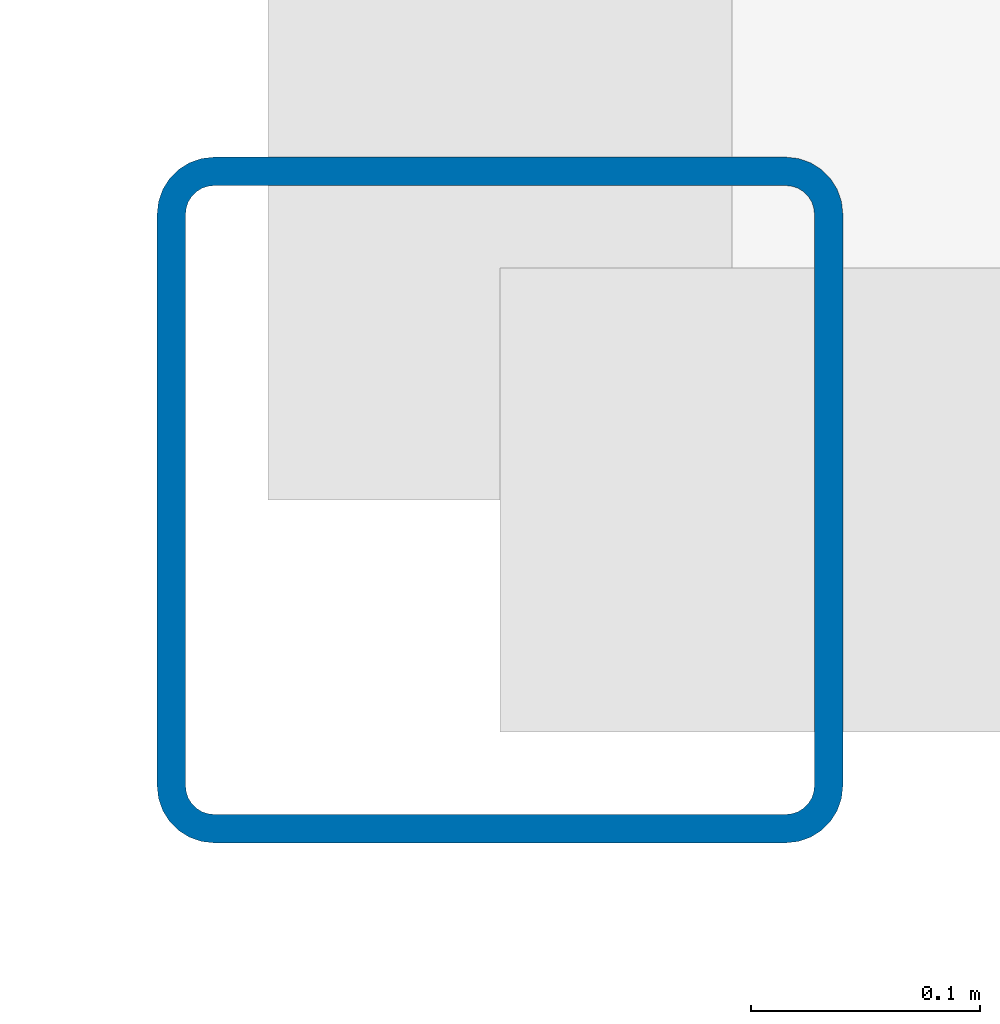
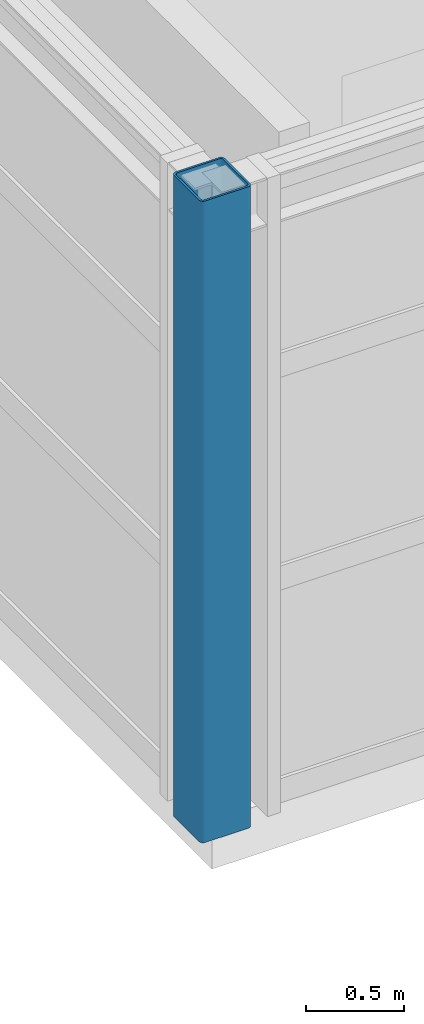
# One storey, part 2 of 49: 1 column.
"""IFC4 building model written with IfcOpenShell, lengths in metres."""

from ifc_helpers import new_model, si_unit, direction, frame, origin, origin_2d, place, context, subcontext, project, spatial, hollow_rectangle, extrude, material, material_profile, profile_set, type_object, element, save


model = new_model("IFC4")

# Units and contexts
model_context = context("Model", 3, precision=1e-05, world=origin(), true_north=direction((0.0, 1.0)))
body_context = subcontext(model_context, "Body", "Model", "MODEL_VIEW")
ifc_project = project(units=[si_unit("LENGTHUNIT", "METRE"), si_unit("AREAUNIT", "SQUARE_METRE"), si_unit("VOLUMEUNIT", "CUBIC_METRE"), si_unit("PLANEANGLEUNIT", "RADIAN"), si_unit("MASSUNIT", "GRAM", prefix="KILO")], contexts=[model_context])

# Site, building, storey
site_placement = place(None, origin())
site = spatial("IfcSite", under=ifc_project, at=site_placement, CompositionType="ELEMENT")
building_placement = place(site_placement, origin())
building = spatial("IfcBuilding", under=site, at=building_placement, Name="Sitalva Quay Ferry Terminal", CompositionType="ELEMENT")
storey_placement = place(building_placement, frame((0.0, 0.0, 10.199951171875)))
storey = spatial("IfcBuildingStorey", under=building, at=storey_placement, Name="L03", CompositionType="ELEMENT", Elevation=10.199951171875)

# Column
ifc_material = material(Name="Structural Steel S355JR", Category="steel")
ifc_material_profile = material_profile(ifc_material, hollow_rectangle(XDim=0.300048828125, YDim=0.300048828125, WallThickness=0.012451171875, InnerFilletRadius=0.012451171875, OuterFilletRadius=0.02490234375, at=origin_2d()), Name="SHS300x300x12.5")
ifc_profile_set = profile_set([ifc_material_profile], Name="Structural Steel S355JR")
column_type = type_object("IfcColumnType", Name="Col_SHS300x12", PredefinedType="COLUMN", material=ifc_profile_set)
column_placement = place(storey_placement, frame((74.0, 66.0, 0.0), z_axis=(0.0, 0.0, 1.0), x_axis=(1.0, 0.0, 0.0)))
element("IfcColumn", 1, at=column_placement, inside=storey, type_object=column_type, Name="L03 column 10H", PredefinedType="COLUMN", context=body_context, shape_type="SweptSolid", body=[
    extrude(hollow_rectangle(XDim=0.300048828125, YDim=0.300048828125, WallThickness=0.012451171875, InnerFilletRadius=0.012451171875, OuterFilletRadius=0.02490234375, at=origin_2d()), origin(), (0.0, 0.0, 1.0), 3.97998046875),
])

save(model, "model.ifc")
